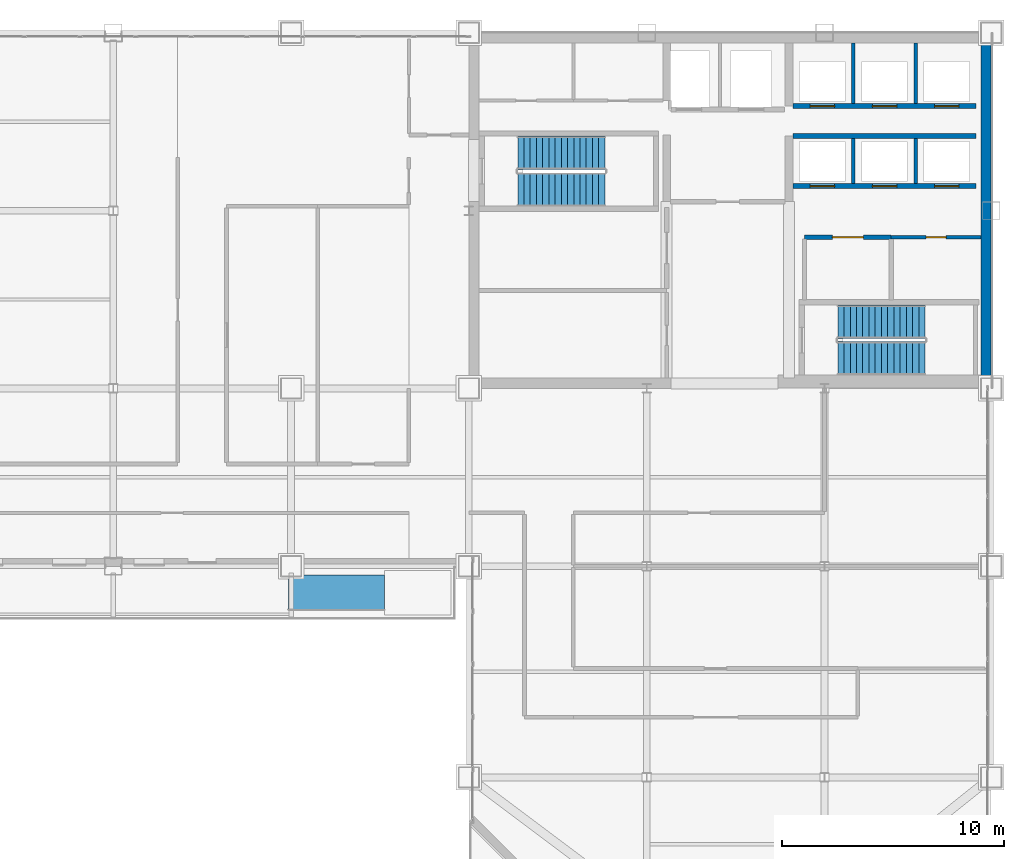
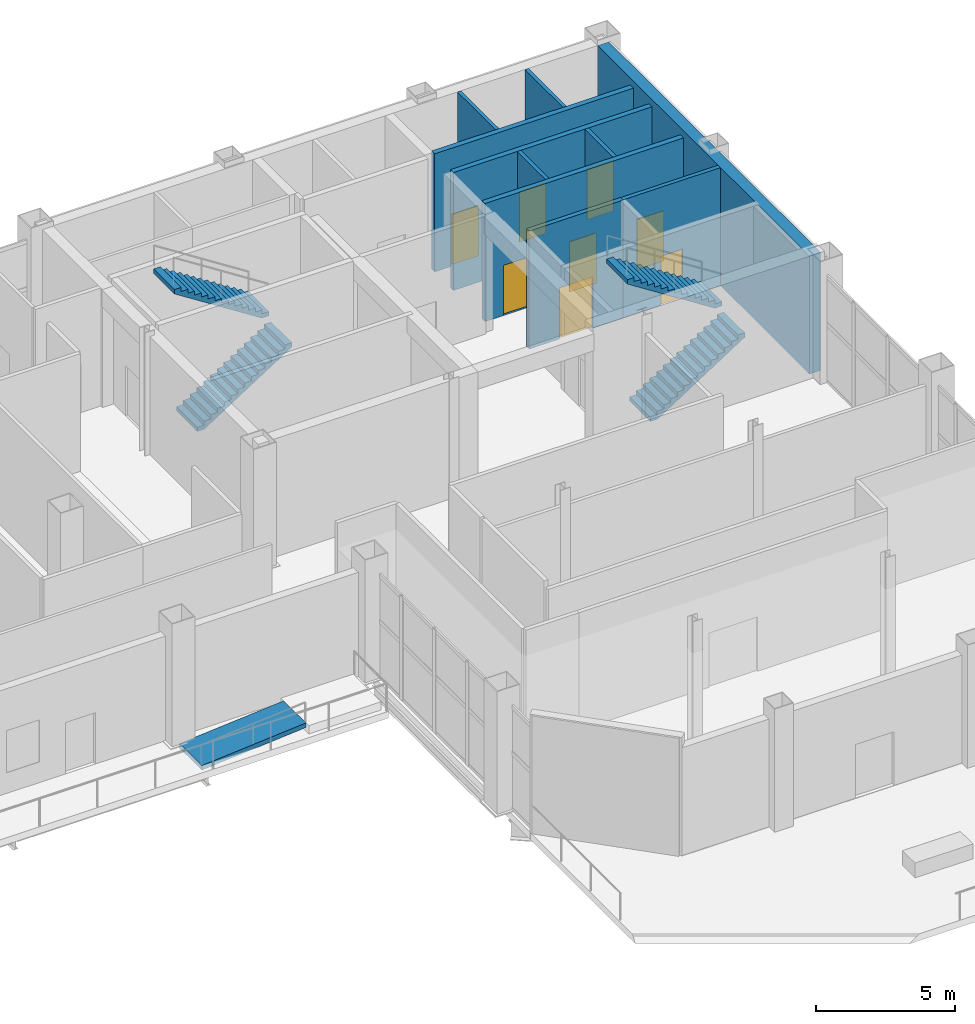
# One storey, part 19 of 21: 10 walls, 8 doors, 4 stair flights, 1 ramp flight, 8 openings, 3 elements without a shape of their own.
"""IFC4 building model written with IfcOpenShell, lengths in metres."""

from ifc_helpers import new_model, si_unit, direction, frame, frame_2d, origin, place, context, subcontext, project, spatial, polyline, rectangle, outline, extrude, material, layer, layer_set, type_object, element, fill, aggregate, save


model = new_model("IFC4")

# Units and contexts
model_context = context("Model", 3, precision=1e-05, world=origin(), true_north=direction((0.0, 1.0)))
body_context = subcontext(model_context, "Body", "Model", "MODEL_VIEW")
ifc_project = project(units=[si_unit("LENGTHUNIT", "METRE"), si_unit("AREAUNIT", "SQUARE_METRE"), si_unit("VOLUMEUNIT", "CUBIC_METRE"), si_unit("PLANEANGLEUNIT", "RADIAN"), si_unit("MASSUNIT", "GRAM", prefix="KILO")], contexts=[model_context])

# Site, building, storey
site_placement = place(None, origin())
site = spatial("IfcSite", under=ifc_project, at=site_placement, CompositionType="ELEMENT")
building_placement = place(site_placement, origin())
building = spatial("IfcBuilding", under=site, at=building_placement, Name="Qianrong Seaharbour Tower", CompositionType="ELEMENT")
storey_placement = place(building_placement, frame((0.0, 0.0, 200.39990234375)))
storey = spatial("IfcBuildingStorey", under=building, at=storey_placement, Name="L48", CompositionType="ELEMENT", Elevation=200.39990234375)

# Wall
ifc_material_1 = material(Name="Concrete C60/75", Category="concrete")
ifc_layer_1 = layer(ifc_material_1, 0.4599609375)
ifc_layer_set_1 = layer_set([ifc_layer_1], Name="Concrete C60/75")
wall_type_1 = type_object("IfcWallType", Name="WALL-CORE-460", PredefinedType="SHEAR", material=ifc_layer_set_1)
wall_1_placement = place(storey_placement, frame((63.77001953125, 36.320068359375, 0.0), z_axis=(0.0, 0.0, 1.0), x_axis=(0.0, 1.0, 0.0)))
element("IfcWall", 1, at=wall_1_placement, inside=storey, type_object=wall_type_1, Name="L48 East Core Shear Wall", PredefinedType="SHEAR", context=body_context, shape_type="SweptSolid", body=[
    extrude(rectangle(XDim=15.219970703125, YDim=0.4599609375, at=frame_2d((7.60986328125, 0.0))), origin(), (0.0, 0.0, 1.0), 5.175048828125),
])

# Wall, opening, door
ifc_material_2 = material(Name="Fire-rated acoustic gypsum board partition")
ifc_layer_2 = layer(ifc_material_2, 0.1650390625)
ifc_layer_set_2 = layer_set([ifc_layer_2], Name="Fire-rated acoustic gypsum board partition")
wall_type_2 = type_object("IfcWallType", Name="WALL-CORR-PART-165", PredefinedType="PARTITIONING", material=ifc_layer_set_2)
wall_2_placement = place(storey_placement, frame((63.5400390625, 42.800048828125, 0.0), z_axis=(0.0, 0.0, 1.0), x_axis=(-1.0, 0.0, 0.0)))
wall_2 = element("IfcWall", 2, at=wall_2_placement, inside=storey, type_object=wall_type_2, Name="L48 Interior Partition Wall 012", PredefinedType="PARTITIONING", context=body_context, shape_type="SweptSolid", body=[
    extrude(rectangle(XDim=4.0400390625, YDim=0.1650390625, at=frame_2d((2.02001953125, 0.0))), origin(), (0.0, 0.0, 1.0), 5.175048828125),
])
opening_1_placement = place(wall_2_placement, frame((1.570068359375, 0.0, 0.0)))
opening_1 = element("IfcOpeningElement", 3, at=opening_1_placement, cuts=wall_2, Name="Opening DS-01", PredefinedType="OPENING", context=body_context, shape_type="SweptSolid", body=[
    extrude(rectangle(XDim=0.89990234375, YDim=2.14990234375, at=frame_2d((0.449951171875, 1.074951171875))), frame((0.0, 0.092529296875, 0.0), z_axis=(0.0, -1.0, 0.0), x_axis=(1.0, 0.0, 0.0)), (0.0, 0.0, 1.0), 0.18505859375),
])
ifc_material_3 = material(Name="Acoustic timber and galvanized steel fire door assembly", Category="steel")
door_type_1 = type_object("IfcDoorType", Name="DOOR-STORE-900x2150", OperationType="NOTDEFINED", PredefinedType="DOOR", material=ifc_material_3)
door_1_placement = place(opening_1_placement, origin())
door_1 = element("IfcDoor", 4, at=door_1_placement, inside=storey, type_object=door_type_1, Name="L48 Cleaner Store Room Door", OperationType="SINGLE_SWING_LEFT", OverallHeight=2.14990234375, OverallWidth=0.89990234375, PredefinedType="DOOR", context=body_context, shape_type="SweptSolid", body=[
    extrude(rectangle(XDim=0.89990234375, YDim=2.14990234375, at=frame_2d((0.449951171875, 1.074951171875))), frame((0.0, 0.02490234375, 0.0), z_axis=(0.0, -1.0, 0.0), x_axis=(1.0, 0.0, 0.0)), (0.0, 0.0, 1.0), 0.050048828125),
])
fill(opening_1, door_1)

ifc_material_4 = material(Name="Double fire-rated gypsum board acoustic partition")
ifc_layer_3 = layer(ifc_material_4, 0.18994140625)
ifc_layer_set_3 = layer_set([ifc_layer_3], Name="Double fire-rated gypsum board acoustic partition")
wall_type_3 = type_object("IfcWallType", Name="WALL-FIRE-PART-190", PredefinedType="PARTITIONING", material=ifc_layer_set_3)
wall_3_placement = place(storey_placement, frame((59.5, 42.800048828125, 0.0), z_axis=(0.0, 0.0, 1.0), x_axis=(-1.0, 0.0, 0.0)))
wall_3 = element("IfcWall", 5, at=wall_3_placement, inside=storey, type_object=wall_type_3, Name="L48 Interior Partition Wall 011", PredefinedType="PARTITIONING", context=body_context, shape_type="SweptSolid", body=[
    extrude(rectangle(XDim=3.89990234375, YDim=0.18994140625, at=frame_2d((1.949951171875, 0.0))), origin(), (0.0, 0.0, 1.0), 5.175048828125),
])
opening_2_placement = place(wall_3_placement, frame((1.25, 0.0, 0.0)))
opening_2 = element("IfcOpeningElement", 6, at=opening_2_placement, cuts=wall_3, Name="Opening DP-01", PredefinedType="OPENING", context=body_context, shape_type="SweptSolid", body=[
    extrude(rectangle(XDim=1.39990234375, YDim=2.25, at=frame_2d((0.699951171875, 1.125))), frame((0.0, 0.10498046875, 0.0), z_axis=(0.0, -1.0, 0.0), x_axis=(1.0, 0.0, 0.0)), (0.0, 0.0, 1.0), 0.2099609375),
])
door_type_2 = type_object("IfcDoorType", Name="DOOR-PLANT-PAIR-1400x2250", OperationType="DOUBLE_DOOR_SINGLE_SWING", PredefinedType="DOOR", material=ifc_material_3)
door_2_placement = place(opening_2_placement, origin())
door_2 = element("IfcDoor", 7, at=door_2_placement, inside=storey, type_object=door_type_2, Name="L48 Electrical Substation Door", OperationType="DOUBLE_DOOR_SINGLE_SWING", OverallHeight=2.25, OverallWidth=1.39990234375, PredefinedType="DOOR", context=body_context, shape_type="SweptSolid", body=[
    extrude(rectangle(XDim=1.39990234375, YDim=2.25, at=frame_2d((0.699951171875, 1.125))), frame((0.0, 0.02490234375, 0.0), z_axis=(0.0, -1.0, 0.0), x_axis=(1.0, 0.0, 0.0)), (0.0, 0.0, 1.0), 0.050048828125),
])
fill(opening_2, door_2)

# Walls
ifc_material_5 = material(Name="Fire-rated gypsum board on steel studs", Category="steel")
ifc_layer_4 = layer(ifc_material_5, 0.14990234375)
ifc_layer_set_4 = layer_set([ifc_layer_4], Name="Fire-rated gypsum board on steel studs")
wall_type_4 = type_object("IfcWallType", Name="WALL-SHAFT-DIV-150", PredefinedType="PARTITIONING", material=ifc_layer_set_4)
for number, where, z_axis, x_axis, name in (
    (8, (57.800048828125, 45.2099609375, 0.0), (0.0, 0.0, 1.0), (0.0, 1.0, 0.0), "L48 P3 Lift Hoistway Divider 2"),
    (9, (60.60009765625, 45.2099609375, 0.0), (0.0, 0.0, 1.0), (0.0, 1.0, 0.0), "L48 P3 Lift Hoistway Divider 3"),
):
    element("IfcWall", number, at=place(storey_placement, frame(where, z_axis=z_axis, x_axis=x_axis)), inside=storey, type_object=wall_type_4, Name=name, PredefinedType="PARTITIONING", context=body_context, shape_type="SweptSolid", body=[
        extrude(rectangle(XDim=2.030029296875, YDim=0.14990234375, at=frame_2d((1.01513671875, 0.0))), origin(), (0.0, 0.0, 1.0), 5.175048828125),
    ])
for number, where, z_axis, x_axis, name in (
    (10, (57.800048828125, 48.81005859375, 0.0), (0.0, 0.0, 1.0), (0.0, 1.0, 0.0), "L48 P4 Lift Hoistway Divider 2"),
    (11, (60.60009765625, 48.81005859375, 0.0), (0.0, 0.0, 1.0), (0.0, 1.0, 0.0), "L48 P4 Lift Hoistway Divider 3"),
):
    element("IfcWall", number, at=place(storey_placement, frame(where, z_axis=z_axis, x_axis=x_axis)), inside=storey, type_object=wall_type_4, Name=name, PredefinedType="PARTITIONING", context=body_context, shape_type="SweptSolid", body=[
        extrude(rectangle(XDim=2.72998046875, YDim=0.14990234375, at=frame_2d((1.364990234375, 0.0))), origin(), (0.0, 0.0, 1.0), 5.175048828125),
    ])

# Wall, openings, doors
ifc_layer_5 = layer(ifc_material_5, 0.219970703125)
ifc_layer_set_5 = layer_set([ifc_layer_5], Name="Fire-rated gypsum board on steel studs")
wall_type_5 = type_object("IfcWallType", Name="WALL-SHAFT-GYP220", PredefinedType="PARTITIONING", material=ifc_layer_set_5)
wall_4_placement = place(storey_placement, frame((63.320068359375, 45.10009765625, 0.0), z_axis=(0.0, 0.0, 1.0), x_axis=(-1.0, 0.0, 0.0)))
wall_4 = element("IfcWall", 12, at=wall_4_placement, inside=storey, type_object=wall_type_5, Name="L48 P3 Lift Hoistway Front Wall", PredefinedType="PARTITIONING", context=body_context, shape_type="SweptSolid", body=[
    extrude(rectangle(XDim=8.239990234375, YDim=0.219970703125, at=frame_2d((4.1201171875, 0.0))), origin(), (0.0, 0.0, 1.0), 5.175048828125),
])
opening_3_placement = place(wall_4_placement, frame((6.3701171875, 0.0, 0.0)))
opening_3 = element("IfcOpeningElement", 13, at=opening_3_placement, cuts=wall_4, Name="Opening LD-02", PredefinedType="OPENING", context=body_context, shape_type="SweptSolid", body=[
    extrude(rectangle(XDim=1.10009765625, YDim=2.199951171875, at=frame_2d((0.550048828125, 1.10009765625))), frame((0.0, 0.1201171875, 0.0), z_axis=(0.0, -1.0, 0.0), x_axis=(1.0, 0.0, 0.0)), (0.0, 0.0, 1.0), 0.239990234375),
])
opening_4_placement = place(wall_4_placement, frame((3.570068359375, 0.0, 0.0)))
opening_4 = element("IfcOpeningElement", 14, at=opening_4_placement, cuts=wall_4, Name="Opening LD-02", PredefinedType="OPENING", context=body_context, shape_type="SweptSolid", body=[
    extrude(rectangle(XDim=1.10009765625, YDim=2.199951171875, at=frame_2d((0.550048828125, 1.10009765625))), frame((0.0, 0.1201171875, 0.0), z_axis=(0.0, -1.0, 0.0), x_axis=(1.0, 0.0, 0.0)), (0.0, 0.0, 1.0), 0.239990234375),
])
opening_5_placement = place(wall_4_placement, frame((0.77001953125, 0.0, 0.0)))
opening_5 = element("IfcOpeningElement", 15, at=opening_5_placement, cuts=wall_4, Name="Opening LD-02", PredefinedType="OPENING", context=body_context, shape_type="SweptSolid", body=[
    extrude(rectangle(XDim=1.10009765625, YDim=2.199951171875, at=frame_2d((0.550048828125, 1.10009765625))), frame((0.0, 0.1201171875, 0.0), z_axis=(0.0, -1.0, 0.0), x_axis=(1.0, 0.0, 0.0)), (0.0, 0.0, 1.0), 0.239990234375),
])
ifc_material_6 = material(Name="Stainless steel SUS316L bi-parting lift landing door", Category="steel")
door_type_3 = type_object("IfcDoorType", Name="DOOR-LIFT-PASS-1100x2200", OperationType="DOUBLE_DOOR_SLIDING", PredefinedType="DOOR", material=ifc_material_6)
door_3_placement = place(opening_3_placement, origin())
door_3 = element("IfcDoor", 16, at=door_3_placement, inside=storey, type_object=door_type_3, Name="L48 PL-3A Lift Landing Door", OperationType="DOUBLE_DOOR_SLIDING", OverallHeight=2.199951171875, OverallWidth=1.10009765625, PredefinedType="DOOR", context=body_context, shape_type="SweptSolid", body=[
    extrude(rectangle(XDim=1.10009765625, YDim=2.199951171875, at=frame_2d((0.550048828125, 1.10009765625))), frame((0.0, 0.02490234375, 0.0), z_axis=(0.0, -1.0, 0.0), x_axis=(1.0, 0.0, 0.0)), (0.0, 0.0, 1.0), 0.050048828125),
])
fill(opening_3, door_3)
door_4_placement = place(opening_4_placement, origin())
door_4 = element("IfcDoor", 17, at=door_4_placement, inside=storey, type_object=door_type_3, Name="L48 PL-3B Lift Landing Door", OperationType="DOUBLE_DOOR_SLIDING", OverallHeight=2.199951171875, OverallWidth=1.10009765625, PredefinedType="DOOR", context=body_context, shape_type="SweptSolid", body=[
    extrude(rectangle(XDim=1.10009765625, YDim=2.199951171875, at=frame_2d((0.550048828125, 1.10009765625))), frame((0.0, 0.02490234375, 0.0), z_axis=(0.0, -1.0, 0.0), x_axis=(1.0, 0.0, 0.0)), (0.0, 0.0, 1.0), 0.050048828125),
])
fill(opening_4, door_4)
door_5_placement = place(opening_5_placement, origin())
door_5 = element("IfcDoor", 18, at=door_5_placement, inside=storey, type_object=door_type_3, Name="L48 PL-3C Lift Landing Door", OperationType="DOUBLE_DOOR_SLIDING", OverallHeight=2.199951171875, OverallWidth=1.10009765625, PredefinedType="DOOR", context=body_context, shape_type="SweptSolid", body=[
    extrude(rectangle(XDim=1.10009765625, YDim=2.199951171875, at=frame_2d((0.550048828125, 1.10009765625))), frame((0.0, 0.02490234375, 0.0), z_axis=(0.0, -1.0, 0.0), x_axis=(1.0, 0.0, 0.0)), (0.0, 0.0, 1.0), 0.050048828125),
])
fill(opening_5, door_5)

# Wall
wall_5_placement = place(storey_placement, frame((55.080078125, 47.35009765625, 0.0), z_axis=(0.0, 0.0, 1.0), x_axis=(1.0, 0.0, 0.0)))
element("IfcWall", 19, at=wall_5_placement, inside=storey, type_object=wall_type_5, Name="L48 P3 Lift Hoistway Back Wall", PredefinedType="PARTITIONING", context=body_context, shape_type="SweptSolid", body=[
    extrude(rectangle(XDim=8.239990234375, YDim=0.219970703125, at=frame_2d((4.1201171875, 0.0))), origin(), (0.0, 0.0, 1.0), 5.175048828125),
])

# Wall, openings, doors
wall_6_placement = place(storey_placement, frame((63.320068359375, 48.699951171875, 0.0), z_axis=(0.0, 0.0, 1.0), x_axis=(-1.0, 0.0, 0.0)))
wall_6 = element("IfcWall", 20, at=wall_6_placement, inside=storey, type_object=wall_type_5, Name="L48 P4 Lift Hoistway Front Wall", PredefinedType="PARTITIONING", context=body_context, shape_type="SweptSolid", body=[
    extrude(rectangle(XDim=8.239990234375, YDim=0.219970703125, at=frame_2d((4.1201171875, 0.0))), origin(), (0.0, 0.0, 1.0), 5.175048828125),
])
opening_6_placement = place(wall_6_placement, frame((6.3701171875, 0.0, 0.0)))
opening_6 = element("IfcOpeningElement", 21, at=opening_6_placement, cuts=wall_6, Name="Opening LD-02", PredefinedType="OPENING", context=body_context, shape_type="SweptSolid", body=[
    extrude(rectangle(XDim=1.10009765625, YDim=2.199951171875, at=frame_2d((0.550048828125, 1.10009765625))), frame((0.0, 0.1201171875, 0.0), z_axis=(0.0, -1.0, 0.0), x_axis=(1.0, 0.0, 0.0)), (0.0, 0.0, 1.0), 0.239990234375),
])
opening_7_placement = place(wall_6_placement, frame((3.570068359375, 0.0, 0.0)))
opening_7 = element("IfcOpeningElement", 22, at=opening_7_placement, cuts=wall_6, Name="Opening LD-02", PredefinedType="OPENING", context=body_context, shape_type="SweptSolid", body=[
    extrude(rectangle(XDim=1.10009765625, YDim=2.199951171875, at=frame_2d((0.550048828125, 1.10009765625))), frame((0.0, 0.1201171875, 0.0), z_axis=(0.0, -1.0, 0.0), x_axis=(1.0, 0.0, 0.0)), (0.0, 0.0, 1.0), 0.239990234375),
])
opening_8_placement = place(wall_6_placement, frame((0.77001953125, 0.0, 0.0)))
opening_8 = element("IfcOpeningElement", 23, at=opening_8_placement, cuts=wall_6, Name="Opening LD-02", PredefinedType="OPENING", context=body_context, shape_type="SweptSolid", body=[
    extrude(rectangle(XDim=1.10009765625, YDim=2.199951171875, at=frame_2d((0.550048828125, 1.10009765625))), frame((0.0, 0.1201171875, 0.0), z_axis=(0.0, -1.0, 0.0), x_axis=(1.0, 0.0, 0.0)), (0.0, 0.0, 1.0), 0.239990234375),
])
door_6_placement = place(opening_6_placement, origin())
door_6 = element("IfcDoor", 24, at=door_6_placement, inside=storey, type_object=door_type_3, Name="L48 PL-4A Lift Landing Door", OperationType="DOUBLE_DOOR_SLIDING", OverallHeight=2.199951171875, OverallWidth=1.10009765625, PredefinedType="DOOR", context=body_context, shape_type="SweptSolid", body=[
    extrude(rectangle(XDim=1.10009765625, YDim=2.199951171875, at=frame_2d((0.550048828125, 1.10009765625))), frame((0.0, 0.02490234375, 0.0), z_axis=(0.0, -1.0, 0.0), x_axis=(1.0, 0.0, 0.0)), (0.0, 0.0, 1.0), 0.050048828125),
])
fill(opening_6, door_6)
door_7_placement = place(opening_7_placement, origin())
door_7 = element("IfcDoor", 25, at=door_7_placement, inside=storey, type_object=door_type_3, Name="L48 PL-4B Lift Landing Door", OperationType="DOUBLE_DOOR_SLIDING", OverallHeight=2.199951171875, OverallWidth=1.10009765625, PredefinedType="DOOR", context=body_context, shape_type="SweptSolid", body=[
    extrude(rectangle(XDim=1.10009765625, YDim=2.199951171875, at=frame_2d((0.550048828125, 1.10009765625))), frame((0.0, 0.02490234375, 0.0), z_axis=(0.0, -1.0, 0.0), x_axis=(1.0, 0.0, 0.0)), (0.0, 0.0, 1.0), 0.050048828125),
])
fill(opening_7, door_7)
door_8_placement = place(opening_8_placement, origin())
door_8 = element("IfcDoor", 26, at=door_8_placement, inside=storey, type_object=door_type_3, Name="L48 PL-4C Lift Landing Door", OperationType="DOUBLE_DOOR_SLIDING", OverallHeight=2.199951171875, OverallWidth=1.10009765625, PredefinedType="DOOR", context=body_context, shape_type="SweptSolid", body=[
    extrude(rectangle(XDim=1.10009765625, YDim=2.199951171875, at=frame_2d((0.550048828125, 1.10009765625))), frame((0.0, 0.02490234375, 0.0), z_axis=(0.0, -1.0, 0.0), x_axis=(1.0, 0.0, 0.0)), (0.0, 0.0, 1.0), 0.050048828125),
])
fill(opening_8, door_8)

# Stair, stair flights
ifc_material_7 = material(Name="Concrete C50/60", Category="concrete")
stair_type = type_object("IfcStairType", Name="STAIR-DOGLEG-1500-R30", PredefinedType="HALF_TURN_STAIR", material=ifc_material_7)
stair_1_placement = place(storey_placement, origin())
stair_1 = element("IfcStair", 27, at=stair_1_placement, inside=storey, type_object=stair_type, Name="L48 Protected Escape Stair ST-1", PredefinedType="HALF_TURN_STAIR")
stair_flight_type = type_object("IfcStairFlightType", Name="FLIGHT-STR-1500-R30", PredefinedType="STRAIGHT", material=ifc_material_7)
stair_flight_1_placement = place(storey_placement, frame((42.699951171875, 44.949951171875, 0.0), z_axis=(0.0, 0.0, 1.0), x_axis=(1.0, 0.0, 0.0)))
stair_flight_1 = element("IfcStairFlight", 28, at=stair_flight_1_placement, type_object=stair_flight_type, Name="ST-1 flight 1", NumberOfRisers=15, NumberOfTreads=14, PredefinedType="STRAIGHT", RiserHeight=0.18, TreadLength=0.28, context=body_context, shape_type="SweptSolid", body=[
    extrude(outline(polyline([(0.0, 0.0), (0.0, 0.179931640625), (0.280029296875, 0.179931640625), (0.280029296875, 0.360107421875), (0.56005859375, 0.360107421875), (0.56005859375, 0.5400390625), (0.840087890625, 0.5400390625), (0.840087890625, 0.719970703125), (1.1201171875, 0.719970703125), (1.1201171875, 0.89990234375), (1.39990234375, 0.89990234375), (1.39990234375, 1.080078125), (1.679931640625, 1.080078125), (1.679931640625, 1.260009765625), (1.9599609375, 1.260009765625), (1.9599609375, 1.43994140625), (2.239990234375, 1.43994140625), (2.239990234375, 1.6201171875), (2.52001953125, 1.6201171875), (2.52001953125, 1.800048828125), (2.800048828125, 1.800048828125), (2.800048828125, 1.97998046875), (3.080078125, 1.97998046875), (3.080078125, 2.159912109375), (3.360107421875, 2.159912109375), (3.360107421875, 2.340087890625), (3.639892578125, 2.340087890625), (3.639892578125, 2.52001953125), (3.919921875, 2.52001953125), (3.919921875, 2.699951171875), (3.919921875, 2.329833984375), (0.295654296875, 0.0), (0.0, 0.0)])), frame((0.0, 0.75, 0.0), z_axis=(0.0, -1.0, 0.0), x_axis=(1.0, 0.0, 0.0)), (0.0, 0.0, 1.0), 1.5),
])
stair_flight_2_placement = place(storey_placement, frame((46.6201171875, 46.60009765625, 2.7001953125), z_axis=(0.0, 0.0, 1.0), x_axis=(-1.0, 0.0, 0.0)))
stair_flight_2 = element("IfcStairFlight", 29, at=stair_flight_2_placement, type_object=stair_flight_type, Name="ST-1 flight 2", NumberOfRisers=15, NumberOfTreads=14, PredefinedType="STRAIGHT", RiserHeight=0.18, TreadLength=0.28, context=body_context, shape_type="SweptSolid", body=[
    extrude(outline(polyline([(0.0, 0.0), (0.0, 0.179931640625), (0.280029296875, 0.179931640625), (0.280029296875, 0.360107421875), (0.56005859375, 0.360107421875), (0.56005859375, 0.5400390625), (0.840087890625, 0.5400390625), (0.840087890625, 0.719970703125), (1.1201171875, 0.719970703125), (1.1201171875, 0.89990234375), (1.39990234375, 0.89990234375), (1.39990234375, 1.080078125), (1.679931640625, 1.080078125), (1.679931640625, 1.260009765625), (1.9599609375, 1.260009765625), (1.9599609375, 1.43994140625), (2.239990234375, 1.43994140625), (2.239990234375, 1.6201171875), (2.52001953125, 1.6201171875), (2.52001953125, 1.800048828125), (2.800048828125, 1.800048828125), (2.800048828125, 1.97998046875), (3.080078125, 1.97998046875), (3.080078125, 2.159912109375), (3.360107421875, 2.159912109375), (3.360107421875, 2.340087890625), (3.639892578125, 2.340087890625), (3.639892578125, 2.52001953125), (3.919921875, 2.52001953125), (3.919921875, 2.699951171875), (3.919921875, 2.329833984375), (0.295654296875, 0.0), (0.0, 0.0)])), frame((0.0, 0.75, 0.0), z_axis=(0.0, -1.0, 0.0), x_axis=(1.0, 0.0, 0.0)), (0.0, 0.0, 1.0), 1.5),
])
aggregate(stair_1, [stair_flight_1, stair_flight_2])

stair_2_placement = place(storey_placement, origin())
stair_2 = element("IfcStair", 30, at=stair_2_placement, inside=storey, type_object=stair_type, Name="L48 Protected Escape Stair ST-2", PredefinedType="HALF_TURN_STAIR")
stair_flight_3_placement = place(storey_placement, frame((57.10009765625, 37.35009765625, 0.0), z_axis=(0.0, 0.0, 1.0), x_axis=(1.0, 0.0, 0.0)))
stair_flight_3 = element("IfcStairFlight", 31, at=stair_flight_3_placement, type_object=stair_flight_type, Name="ST-2 flight 1", NumberOfRisers=15, NumberOfTreads=14, PredefinedType="STRAIGHT", RiserHeight=0.18, TreadLength=0.28, context=body_context, shape_type="SweptSolid", body=[
    extrude(outline(polyline([(0.0, 0.0), (0.0, 0.179931640625), (0.280029296875, 0.179931640625), (0.280029296875, 0.360107421875), (0.56005859375, 0.360107421875), (0.56005859375, 0.5400390625), (0.840087890625, 0.5400390625), (0.840087890625, 0.719970703125), (1.1201171875, 0.719970703125), (1.1201171875, 0.89990234375), (1.39990234375, 0.89990234375), (1.39990234375, 1.080078125), (1.679931640625, 1.080078125), (1.679931640625, 1.260009765625), (1.9599609375, 1.260009765625), (1.9599609375, 1.43994140625), (2.239990234375, 1.43994140625), (2.239990234375, 1.6201171875), (2.52001953125, 1.6201171875), (2.52001953125, 1.800048828125), (2.800048828125, 1.800048828125), (2.800048828125, 1.97998046875), (3.080078125, 1.97998046875), (3.080078125, 2.159912109375), (3.360107421875, 2.159912109375), (3.360107421875, 2.340087890625), (3.639892578125, 2.340087890625), (3.639892578125, 2.52001953125), (3.919921875, 2.52001953125), (3.919921875, 2.699951171875), (3.919921875, 2.329833984375), (0.295654296875, 0.0), (0.0, 0.0)])), frame((0.0, 0.75, 0.0), z_axis=(0.0, -1.0, 0.0), x_axis=(1.0, 0.0, 0.0)), (0.0, 0.0, 1.0), 1.5),
])
stair_flight_4_placement = place(storey_placement, frame((61.02001953125, 39.0, 2.7001953125), z_axis=(0.0, 0.0, 1.0), x_axis=(-1.0, 0.0, 0.0)))
stair_flight_4 = element("IfcStairFlight", 32, at=stair_flight_4_placement, type_object=stair_flight_type, Name="ST-2 flight 2", NumberOfRisers=15, NumberOfTreads=14, PredefinedType="STRAIGHT", RiserHeight=0.18, TreadLength=0.28, context=body_context, shape_type="SweptSolid", body=[
    extrude(outline(polyline([(0.0, 0.0), (0.0, 0.179931640625), (0.280029296875, 0.179931640625), (0.280029296875, 0.360107421875), (0.56005859375, 0.360107421875), (0.56005859375, 0.5400390625), (0.840087890625, 0.5400390625), (0.840087890625, 0.719970703125), (1.1201171875, 0.719970703125), (1.1201171875, 0.89990234375), (1.39990234375, 0.89990234375), (1.39990234375, 1.080078125), (1.679931640625, 1.080078125), (1.679931640625, 1.260009765625), (1.9599609375, 1.260009765625), (1.9599609375, 1.43994140625), (2.239990234375, 1.43994140625), (2.239990234375, 1.6201171875), (2.52001953125, 1.6201171875), (2.52001953125, 1.800048828125), (2.800048828125, 1.800048828125), (2.800048828125, 1.97998046875), (3.080078125, 1.97998046875), (3.080078125, 2.159912109375), (3.360107421875, 2.159912109375), (3.360107421875, 2.340087890625), (3.639892578125, 2.340087890625), (3.639892578125, 2.52001953125), (3.919921875, 2.52001953125), (3.919921875, 2.699951171875), (3.919921875, 2.329833984375), (0.295654296875, 0.0), (0.0, 0.0)])), frame((0.0, 0.75, 0.0), z_axis=(0.0, -1.0, 0.0), x_axis=(1.0, 0.0, 0.0)), (0.0, 0.0, 1.0), 1.5),
])
aggregate(stair_2, [stair_flight_3, stair_flight_4])

# Ramp, ramp flight
ifc_material_8 = material(Name="White architectural precast concrete C45/55", Category="concrete")
ramp_type = type_object("IfcRampType", Name="RAMP-RIBBON-GARDEN", PredefinedType="STRAIGHT_RUN_RAMP", material=ifc_material_8)
ramp_placement = place(storey_placement, origin())
ramp = element("IfcRamp", 33, at=ramp_placement, inside=storey, type_object=ramp_type, Name="L48 Harbourfront Garden Ribbon Ramp", PredefinedType="STRAIGHT_RUN_RAMP")
ifc_layer_6 = layer(ifc_material_8, 0.199951171875)
ifc_layer_set_6 = layer_set([ifc_layer_6], Name="White architectural precast concrete C45/55")
ramp_flight_type = type_object("IfcRampFlightType", Name="RAMP-FLIGHT-GARDEN-200", PredefinedType="STRAIGHT", material=ifc_layer_set_6)
ramp_flight_placement = place(storey_placement, frame((32.3798828125, 26.800048828125, 0.0), z_axis=(0.0, 0.0, 1.0), x_axis=(1.0, 0.0, 0.0)))
ramp_flight = element("IfcRampFlight", 34, at=ramp_flight_placement, type_object=ramp_flight_type, Name="L48 Harbourfront Garden Ribbon Ramp Flight", PredefinedType="STRAIGHT", context=body_context, shape_type="SweptSolid", body=[
    extrude(outline(polyline([(0.0, 0.0), (4.320068359375, 0.360107421875), (4.320068359375, 0.16015625), (0.0, -0.199951171875), (0.0, 0.0)])), frame((0.0, 0.800048828125, 0.0), z_axis=(0.0, -1.0, 0.0), x_axis=(1.0, 0.0, 0.0)), (0.0, 0.0, 1.0), 1.60009765625),
])
aggregate(ramp, [ramp_flight])

save(model, "model.ifc")
